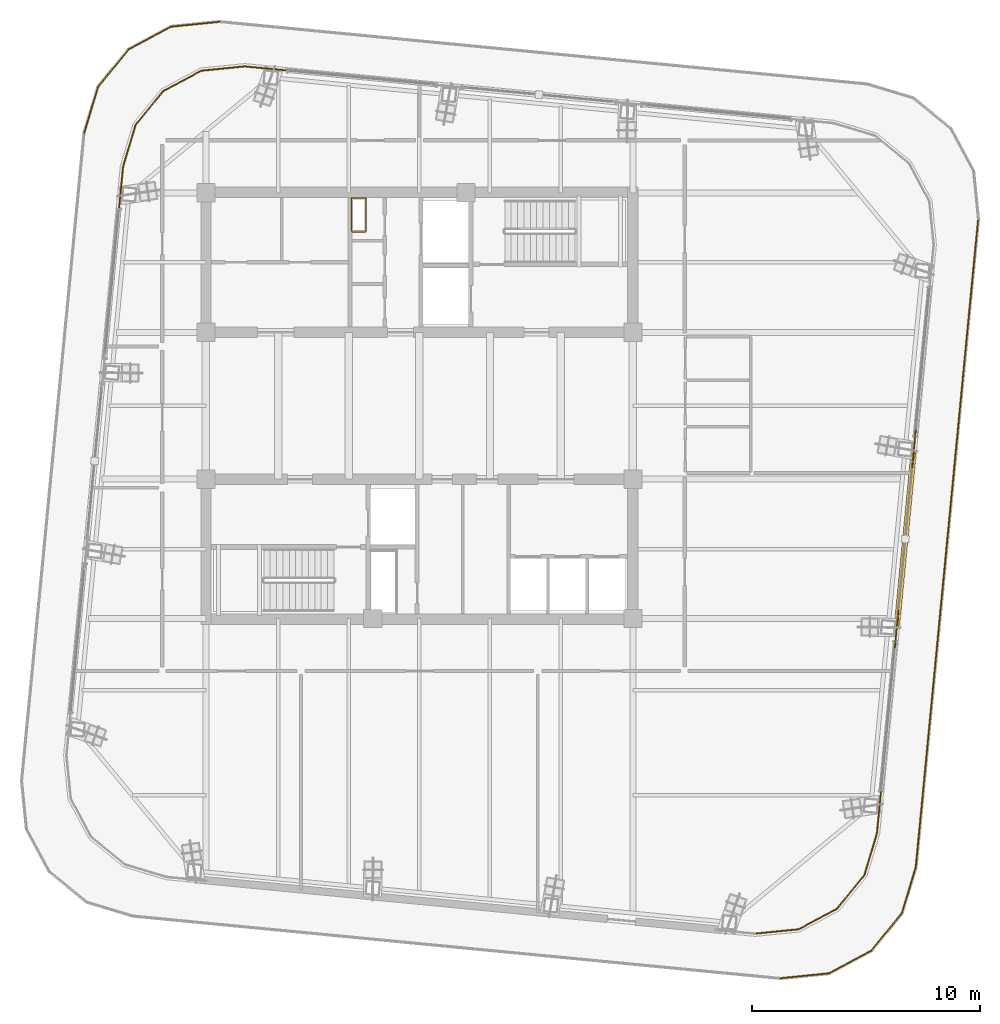
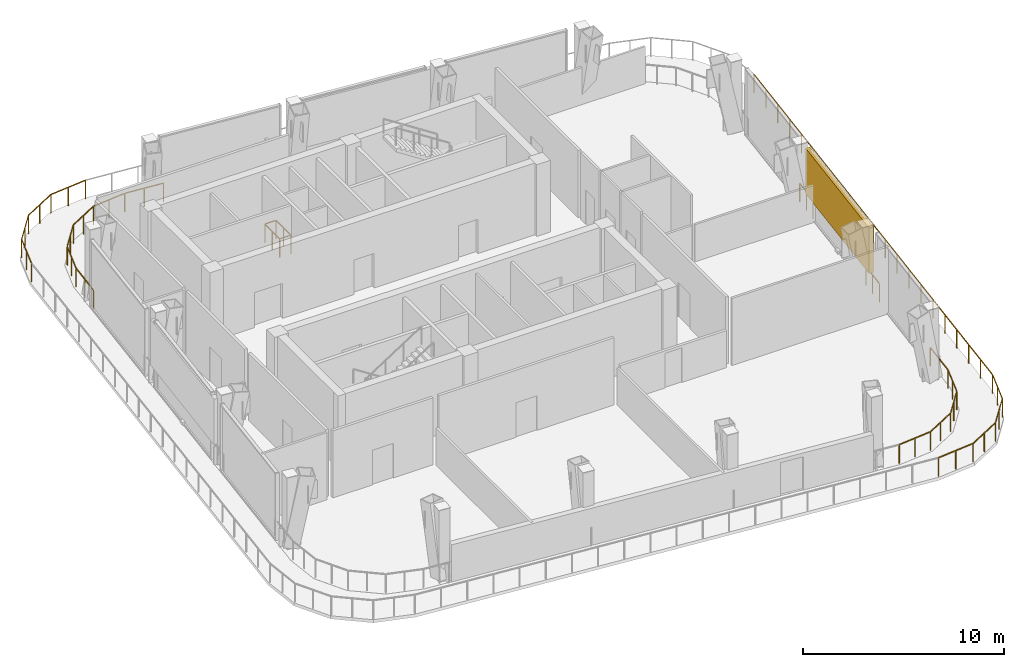
# One storey, part 17 of 19: 14 railings, 1 shading device.
"""IFC4 building model written with IfcOpenShell, lengths in metres."""

from ifc_helpers import new_model, si_unit, direction, frame, origin, origin_2d, place, context, subcontext, project, spatial, rectangle, extrude, material, type_object, element, save


model = new_model("IFC4")

# Units and contexts
model_context = context("Model", 3, precision=1e-05, world=origin(), true_north=direction((0.0, 1.0)))
body_context = subcontext(model_context, "Body", "Model", "MODEL_VIEW")
ifc_project = project(units=[si_unit("LENGTHUNIT", "METRE"), si_unit("AREAUNIT", "SQUARE_METRE"), si_unit("VOLUMEUNIT", "CUBIC_METRE"), si_unit("PLANEANGLEUNIT", "RADIAN"), si_unit("MASSUNIT", "GRAM", prefix="KILO")], contexts=[model_context])

# Site, building, storey
site_placement = place(None, origin())
site = spatial("IfcSite", under=ifc_project, at=site_placement, CompositionType="ELEMENT")
building_placement = place(site_placement, origin())
building = spatial("IfcBuilding", under=site, at=building_placement, Name="Qhalaya Broadcast Tower", CompositionType="ELEMENT")
storey_placement = place(building_placement, frame((0.0, 0.0, 280.550048828125)))
storey = spatial("IfcBuildingStorey", under=building, at=storey_placement, Name="L83", CompositionType="ELEMENT", Elevation=280.550048828125)

# Railings
ifc_material_1 = material(Name="Powder-Coated Galvanised Steel", Category="steel")
railing_type_1 = type_object("IfcRailingType", Name="Stair Well & Landing Guardrail 1100", PredefinedType="GUARDRAIL", material=ifc_material_1)
railing_1_placement = place(storey_placement, frame((-2.340087890625, 8.239990234375, 0.0)))
element("IfcRailing", 1, at=railing_1_placement, inside=storey, type_object=railing_type_1, Name="L83 Service Riser Opening Safety Guard NRSR", PredefinedType="GUARDRAIL", context=body_context, shape_type="SweptSolid", body=[
    extrude(rectangle(XDim=0.048095703125, YDim=0.048095703125, at=origin_2d()), frame((0.0, 0.02880859375, 1.1259765625), z_axis=(0.0, 1.0, 0.0), x_axis=(-1.0, 0.0, 0.0)), (0.0, 0.0, 1.0), 1.42236328125),
    extrude(rectangle(XDim=0.048095703125, YDim=0.048095703125, at=origin_2d()), frame((-0.02880859375, 1.47998046875, 1.1259765625), z_axis=(-1.0, 0.0, 0.0), x_axis=(0.0, -1.0, 0.0)), (0.0, 0.0, 1.0), 0.582275390625),
    extrude(rectangle(XDim=0.048095703125, YDim=0.048095703125, at=origin_2d()), frame((-0.639892578125, 1.451171875, 1.1259765625), z_axis=(0.0, -1.0, 0.0), x_axis=(1.0, 0.0, 0.0)), (0.0, 0.0, 1.0), 1.42236328125),
    extrude(rectangle(XDim=0.048095703125, YDim=0.048095703125, at=origin_2d()), frame((-0.611083984375, 0.0, 1.1259765625), z_axis=(1.0, 0.0, 0.0), x_axis=(0.0, 1.0, 0.0)), (0.0, 0.0, 1.0), 0.582275390625),
    extrude(rectangle(XDim=0.0419921875, YDim=0.0419921875, at=origin_2d()), origin(), (0.0, 0.0, 1.0), 1.099853515625),
    extrude(rectangle(XDim=0.0419921875, YDim=0.0419921875, at=origin_2d()), frame((0.0, 0.739990234375, 0.0)), (0.0, 0.0, 1.0), 1.099853515625),
    extrude(rectangle(XDim=0.0419921875, YDim=0.0419921875, at=origin_2d()), frame((0.0, 1.47998046875, 0.0)), (0.0, 0.0, 1.0), 1.099853515625),
    extrude(rectangle(XDim=0.0419921875, YDim=0.0419921875, at=origin_2d()), frame((-0.639892578125, 1.47998046875, 0.0)), (0.0, 0.0, 1.0), 1.099853515625),
    extrude(rectangle(XDim=0.0419921875, YDim=0.0419921875, at=origin_2d()), frame((-0.639892578125, 0.739990234375, 0.0)), (0.0, 0.0, 1.0), 1.099853515625),
    extrude(rectangle(XDim=0.0419921875, YDim=0.0419921875, at=origin_2d()), frame((-0.639892578125, 0.0, 0.0)), (0.0, 0.0, 1.0), 1.099853515625),
])
railing_type_2 = type_object("IfcRailingType", Name="Terrace, Sky-Pool & Lookout Glass Balustrade 1150", PredefinedType="BALUSTRADE", material=ifc_material_1)
railing_2_placement = place(storey_placement, frame((-14.719482421875, 12.576416015625, 0.0)))
element("IfcRailing", 2, at=railing_2_placement, inside=storey, type_object=railing_type_2, Name="L83 Perimeter Safety Balustrade BAL-TER1-07", PredefinedType="BALUSTRADE", context=body_context, shape_type="SweptSolid", body=[
    extrude(rectangle(XDim=0.048095703125, YDim=0.048095703125, at=origin_2d()), frame((0.0, 0.0, 1.1259765625), z_axis=(0.288170989429, 0.957578968467, 0.0), x_axis=(-0.957578968467, 0.288170989429, 0.0)), (0.0, 0.0, 1.0), 2.122314453125),
    extrude(rectangle(XDim=0.0419921875, YDim=0.0419921875, at=origin_2d()), origin(), (0.0, 0.0, 1.0), 1.099853515625),
    extrude(rectangle(XDim=0.0419921875, YDim=0.0419921875, at=origin_2d()), frame((0.3056640625, 1.01611328125, 0.0)), (0.0, 0.0, 1.0), 1.099853515625),
    extrude(rectangle(XDim=0.0419921875, YDim=0.0419921875, at=origin_2d()), frame((0.611572265625, 2.0322265625, 0.0)), (0.0, 0.0, 1.0), 1.099853515625),
])
railing_3_placement = place(storey_placement, frame((-14.10791015625, 14.608642578125, 0.0)))
element("IfcRailing", 3, at=railing_3_placement, inside=storey, type_object=railing_type_2, Name="L83 Perimeter Safety Balustrade BAL-TER1-08", PredefinedType="BALUSTRADE", context=body_context, shape_type="SweptSolid", body=[
    extrude(rectangle(XDim=0.048095703125, YDim=0.048095703125, at=origin_2d()), frame((0.0, 0.0, 1.1259765625), z_axis=(0.63277236839, 0.774337865406, 0.0), x_axis=(-0.774337865406, 0.63277236839, 0.0)), (0.0, 0.0, 1.0), 2.1142578125),
    extrude(rectangle(XDim=0.0419921875, YDim=0.0419921875, at=origin_2d()), origin(), (0.0, 0.0, 1.0), 1.099853515625),
    extrude(rectangle(XDim=0.0419921875, YDim=0.0419921875, at=origin_2d()), frame((0.6689453125, 0.818603515625, 0.0)), (0.0, 0.0, 1.0), 1.099853515625),
    extrude(rectangle(XDim=0.0419921875, YDim=0.0419921875, at=origin_2d()), frame((1.337890625, 1.63720703125, 0.0)), (0.0, 0.0, 1.0), 1.099853515625),
])
railing_4_placement = place(storey_placement, frame((-12.77001953125, 16.245849609375, 0.0)))
element("IfcRailing", 4, at=railing_4_placement, inside=storey, type_object=railing_type_2, Name="L83 Perimeter Safety Balustrade BAL-TER1-09", PredefinedType="BALUSTRADE", context=body_context, shape_type="SweptSolid", body=[
    extrude(rectangle(XDim=0.048095703125, YDim=0.048095703125, at=origin_2d()), frame((0.0, 0.0, 1.1259765625), z_axis=(0.880923105404, 0.473259423957, 0.0), x_axis=(-0.473259423957, 0.880923105404, 0.0)), (0.0, 0.0, 1.0), 2.114013671875),
    extrude(rectangle(XDim=0.0419921875, YDim=0.0419921875, at=origin_2d()), origin(), (0.0, 0.0, 1.0), 1.099853515625),
    extrude(rectangle(XDim=0.0419921875, YDim=0.0419921875, at=origin_2d()), frame((0.93115234375, 0.500244140625, 0.0)), (0.0, 0.0, 1.0), 1.099853515625),
    extrude(rectangle(XDim=0.0419921875, YDim=0.0419921875, at=origin_2d()), frame((1.8623046875, 1.00048828125, 0.0)), (0.0, 0.0, 1.0), 1.099853515625),
])
railing_5_placement = place(storey_placement, frame((-10.90771484375, 17.246337890625, 0.0)))
element("IfcRailing", 5, at=railing_5_placement, inside=storey, type_object=railing_type_2, Name="L83 Perimeter Safety Balustrade BAL-TER1-10", PredefinedType="BALUSTRADE", context=body_context, shape_type="SweptSolid", body=[
    extrude(rectangle(XDim=0.048095703125, YDim=0.048095703125, at=origin_2d()), frame((0.0, 0.0, 1.1259765625), z_axis=(0.99496746898, 0.100198481383, 0.0), x_axis=(-0.100198481383, 0.99496746898, 0.0)), (0.0, 0.0, 1.0), 2.122314453125),
    extrude(rectangle(XDim=0.0419921875, YDim=0.0419921875, at=origin_2d()), origin(), (0.0, 0.0, 1.0), 1.099853515625),
    extrude(rectangle(XDim=0.0419921875, YDim=0.0419921875, at=origin_2d()), frame((1.0556640625, 0.1064453125, 0.0)), (0.0, 0.0, 1.0), 1.099853515625),
    extrude(rectangle(XDim=0.0419921875, YDim=0.0419921875, at=origin_2d()), frame((2.111572265625, 0.212646484375, 0.0)), (0.0, 0.0, 1.0), 1.099853515625),
])
railing_6_placement = place(storey_placement, frame((24.5390625, 8.796142578125, 0.0)))
element("IfcRailing", 6, at=railing_6_placement, inside=storey, type_object=railing_type_2, Name="L83 Perimeter Safety Balustrade BAL-TER1-16", PredefinedType="BALUSTRADE", context=body_context, shape_type="SweptSolid", body=[
    extrude(rectangle(XDim=0.048095703125, YDim=0.048095703125, at=origin_2d()), frame((0.0, 0.0, 1.1259765625), z_axis=(-0.095848136823, -0.995395968782, 0.0), x_axis=(0.995395968782, -0.095848136823, 0.0)), (0.0, 0.0, 1.0), 28.584228515625),
    extrude(rectangle(XDim=0.0419921875, YDim=0.0419921875, at=origin_2d()), origin(), (0.0, 0.0, 1.0), 1.099853515625),
    extrude(rectangle(XDim=0.0419921875, YDim=0.0419921875, at=origin_2d()), frame((-0.136962890625, -1.422607421875, 0.0)), (0.0, 0.0, 1.0), 1.099853515625),
    extrude(rectangle(XDim=0.0419921875, YDim=0.0419921875, at=origin_2d()), frame((-0.27392578125, -2.84521484375, 0.0)), (0.0, 0.0, 1.0), 1.099853515625),
    extrude(rectangle(XDim=0.0419921875, YDim=0.0419921875, at=origin_2d()), frame((-0.410888671875, -4.267822265625, 0.0)), (0.0, 0.0, 1.0), 1.099853515625),
    extrude(rectangle(XDim=0.0419921875, YDim=0.0419921875, at=origin_2d()), frame((-0.5478515625, -5.6904296875, 0.0)), (0.0, 0.0, 1.0), 1.099853515625),
    extrude(rectangle(XDim=0.0419921875, YDim=0.0419921875, at=origin_2d()), frame((-0.68505859375, -7.11328125, 0.0)), (0.0, 0.0, 1.0), 1.099853515625),
    extrude(rectangle(XDim=0.0419921875, YDim=0.0419921875, at=origin_2d()), frame((-0.822021484375, -8.535888671875, 0.0)), (0.0, 0.0, 1.0), 1.099853515625),
    extrude(rectangle(XDim=0.0419921875, YDim=0.0419921875, at=origin_2d()), frame((-0.958984375, -9.95849609375, 0.0)), (0.0, 0.0, 1.0), 1.099853515625),
    extrude(rectangle(XDim=0.0419921875, YDim=0.0419921875, at=origin_2d()), frame((-1.095947265625, -11.381103515625, 0.0)), (0.0, 0.0, 1.0), 1.099853515625),
    extrude(rectangle(XDim=0.0419921875, YDim=0.0419921875, at=origin_2d()), frame((-1.23291015625, -12.8037109375, 0.0)), (0.0, 0.0, 1.0), 1.099853515625),
    extrude(rectangle(XDim=0.0419921875, YDim=0.0419921875, at=origin_2d()), frame((-1.369873046875, -14.226318359375, 0.0)), (0.0, 0.0, 1.0), 1.099853515625),
    extrude(rectangle(XDim=0.0419921875, YDim=0.0419921875, at=origin_2d()), frame((-1.5068359375, -15.64892578125, 0.0)), (0.0, 0.0, 1.0), 1.099853515625),
    extrude(rectangle(XDim=0.0419921875, YDim=0.0419921875, at=origin_2d()), frame((-1.643798828125, -17.071533203125, 0.0)), (0.0, 0.0, 1.0), 1.099853515625),
    extrude(rectangle(XDim=0.0419921875, YDim=0.0419921875, at=origin_2d()), frame((-1.78076171875, -18.494140625, 0.0)), (0.0, 0.0, 1.0), 1.099853515625),
    extrude(rectangle(XDim=0.0419921875, YDim=0.0419921875, at=origin_2d()), frame((-1.917724609375, -19.916748046875, 0.0)), (0.0, 0.0, 1.0), 1.099853515625),
    extrude(rectangle(XDim=0.0419921875, YDim=0.0419921875, at=origin_2d()), frame((-2.0546875, -21.33935546875, 0.0)), (0.0, 0.0, 1.0), 1.099853515625),
    extrude(rectangle(XDim=0.0419921875, YDim=0.0419921875, at=origin_2d()), frame((-2.19189453125, -22.76220703125, 0.0)), (0.0, 0.0, 1.0), 1.099853515625),
    extrude(rectangle(XDim=0.0419921875, YDim=0.0419921875, at=origin_2d()), frame((-2.328857421875, -24.184814453125, 0.0)), (0.0, 0.0, 1.0), 1.099853515625),
    extrude(rectangle(XDim=0.0419921875, YDim=0.0419921875, at=origin_2d()), frame((-2.4658203125, -25.607421875, 0.0)), (0.0, 0.0, 1.0), 1.099853515625),
    extrude(rectangle(XDim=0.0419921875, YDim=0.0419921875, at=origin_2d()), frame((-2.602783203125, -27.030029296875, 0.0)), (0.0, 0.0, 1.0), 1.099853515625),
    extrude(rectangle(XDim=0.0419921875, YDim=0.0419921875, at=origin_2d()), frame((-2.73974609375, -28.45263671875, 0.0)), (0.0, 0.0, 1.0), 1.099853515625),
])
railing_7_placement = place(storey_placement, frame((21.79931640625, -19.656494140625, 0.0)))
element("IfcRailing", 7, at=railing_7_placement, inside=storey, type_object=railing_type_2, Name="L83 Perimeter Safety Balustrade BAL-TER1-17", PredefinedType="BALUSTRADE", context=body_context, shape_type="SweptSolid", body=[
    extrude(rectangle(XDim=0.048095703125, YDim=0.048095703125, at=origin_2d()), frame((0.0, 0.0, 1.1259765625), z_axis=(-0.288170989429, -0.957578968467, 0.0), x_axis=(0.957578968467, -0.288170989429, 0.0)), (0.0, 0.0, 1.0), 2.122314453125),
    extrude(rectangle(XDim=0.0419921875, YDim=0.0419921875, at=origin_2d()), origin(), (0.0, 0.0, 1.0), 1.099853515625),
    extrude(rectangle(XDim=0.0419921875, YDim=0.0419921875, at=origin_2d()), frame((-0.3056640625, -1.01611328125, 0.0)), (0.0, 0.0, 1.0), 1.099853515625),
    extrude(rectangle(XDim=0.0419921875, YDim=0.0419921875, at=origin_2d()), frame((-0.611572265625, -2.0322265625, 0.0)), (0.0, 0.0, 1.0), 1.099853515625),
])
railing_8_placement = place(storey_placement, frame((21.187744140625, -21.688720703125, 0.0)))
element("IfcRailing", 8, at=railing_8_placement, inside=storey, type_object=railing_type_2, Name="L83 Perimeter Safety Balustrade BAL-TER1-18", PredefinedType="BALUSTRADE", context=body_context, shape_type="SweptSolid", body=[
    extrude(rectangle(XDim=0.048095703125, YDim=0.048095703125, at=origin_2d()), frame((0.0, 0.0, 1.1259765625), z_axis=(-0.632759708547, -0.774348210587, 0.0), x_axis=(0.774348210587, -0.632759708547, 0.0)), (0.0, 0.0, 1.0), 2.114013671875),
    extrude(rectangle(XDim=0.0419921875, YDim=0.0419921875, at=origin_2d()), origin(), (0.0, 0.0, 1.0), 1.099853515625),
    extrude(rectangle(XDim=0.0419921875, YDim=0.0419921875, at=origin_2d()), frame((-0.6689453125, -0.818359375, 0.0)), (0.0, 0.0, 1.0), 1.099853515625),
    extrude(rectangle(XDim=0.0419921875, YDim=0.0419921875, at=origin_2d()), frame((-1.337646484375, -1.636962890625, 0.0)), (0.0, 0.0, 1.0), 1.099853515625),
])
railing_9_placement = place(storey_placement, frame((19.85009765625, -23.32568359375, 0.0)))
element("IfcRailing", 9, at=railing_9_placement, inside=storey, type_object=railing_type_2, Name="L83 Perimeter Safety Balustrade BAL-TER1-19", PredefinedType="BALUSTRADE", context=body_context, shape_type="SweptSolid", body=[
    extrude(rectangle(XDim=0.048095703125, YDim=0.048095703125, at=origin_2d()), frame((0.0, 0.0, 1.1259765625), z_axis=(-0.880874956993, -0.473349036276, 0.0), x_axis=(0.473349036276, -0.880874956993, 0.0)), (0.0, 0.0, 1.0), 2.1142578125),
    extrude(rectangle(XDim=0.0419921875, YDim=0.0419921875, at=origin_2d()), origin(), (0.0, 0.0, 1.0), 1.099853515625),
    extrude(rectangle(XDim=0.0419921875, YDim=0.0419921875, at=origin_2d()), frame((-0.93115234375, -0.50048828125, 0.0)), (0.0, 0.0, 1.0), 1.099853515625),
    extrude(rectangle(XDim=0.0419921875, YDim=0.0419921875, at=origin_2d()), frame((-1.8623046875, -1.000732421875, 0.0)), (0.0, 0.0, 1.0), 1.099853515625),
])
railing_10_placement = place(storey_placement, frame((17.98779296875, -24.326416015625, 0.0)))
element("IfcRailing", 10, at=railing_10_placement, inside=storey, type_object=railing_type_2, Name="L83 Perimeter Safety Balustrade BAL-TER1-20", PredefinedType="BALUSTRADE", context=body_context, shape_type="SweptSolid", body=[
    extrude(rectangle(XDim=0.048095703125, YDim=0.048095703125, at=origin_2d()), frame((0.0, 0.0, 1.1259765625), z_axis=(-0.99496746898, -0.100198481383, 0.0), x_axis=(0.100198481383, -0.99496746898, 0.0)), (0.0, 0.0, 1.0), 2.122314453125),
    extrude(rectangle(XDim=0.0419921875, YDim=0.0419921875, at=origin_2d()), origin(), (0.0, 0.0, 1.0), 1.099853515625),
    extrude(rectangle(XDim=0.0419921875, YDim=0.0419921875, at=origin_2d()), frame((-1.0556640625, -0.1064453125, 0.0)), (0.0, 0.0, 1.0), 1.099853515625),
    extrude(rectangle(XDim=0.0419921875, YDim=0.0419921875, at=origin_2d()), frame((-2.111572265625, -0.212646484375, 0.0)), (0.0, 0.0, 1.0), 1.099853515625),
])
railing_11_placement = place(storey_placement, frame((-13.2158203125, 8.99365234375, 0.0)))
element("IfcRailing", 11, at=railing_11_placement, inside=storey, type_object=railing_type_2, Name="L83 Rounded Corner Perimeter Guard 05", PredefinedType="BALUSTRADE", context=body_context, shape_type="SweptSolid", body=[
    extrude(rectangle(XDim=0.048095703125, YDim=0.048095703125, at=origin_2d()), frame((0.0, 0.0, 1.1259765625), z_axis=(0.095896889673, 0.995391273094, 0.0), x_axis=(-0.995391273094, 0.095896889673, 0.0)), (0.0, 0.0, 1.0), 2.08935546875),
    extrude(rectangle(XDim=0.048095703125, YDim=0.048095703125, at=origin_2d()), frame((0.21142578125, 2.135986328125, 1.1259765625), z_axis=(0.288096282124, 0.957601447485, 0.0), x_axis=(-0.957601447485, 0.288096282124, 0.0)), (0.0, 0.0, 1.0), 1.857421875),
    extrude(rectangle(XDim=0.048095703125, YDim=0.048095703125, at=origin_2d()), frame((0.773193359375, 3.96484375, 1.1259765625), z_axis=(0.63274871945, 0.774357190213, 0.0), x_axis=(-0.774357190213, 0.63274871945, 0.0)), (0.0, 0.0, 1.0), 1.845703125),
    extrude(rectangle(XDim=0.048095703125, YDim=0.048095703125, at=origin_2d()), frame((1.984619140625, 5.429931640625, 1.1259765625), z_axis=(0.880878554058, 0.473342342286, 0.0), x_axis=(-0.473342342286, 0.880878554058, 0.0)), (0.0, 0.0, 1.0), 1.845458984375),
    extrude(rectangle(XDim=0.048095703125, YDim=0.048095703125, at=origin_2d()), frame((3.66455078125, 6.320068359375, 1.1259765625), z_axis=(0.994980230152, 0.100071682341, 0.0), x_axis=(-0.100071682341, 0.994980230152, 0.0)), (0.0, 0.0, 1.0), 1.857421875),
    extrude(rectangle(XDim=0.048095703125, YDim=0.048095703125, at=origin_2d()), frame((5.570068359375, 6.506103515625, 1.1259765625), z_axis=(0.995402268864, -0.095782687057, 0.0), x_axis=(0.095782687057, 0.995402268864, 0.0)), (0.0, 0.0, 1.0), 2.08935546875),
    extrude(rectangle(XDim=0.0419921875, YDim=0.0419921875, at=origin_2d()), origin(), (0.0, 0.0, 1.0), 1.099853515625),
    extrude(rectangle(XDim=0.0419921875, YDim=0.0419921875, at=origin_2d()), frame((0.1015625, 1.05419921875, 0.0)), (0.0, 0.0, 1.0), 1.099853515625),
    extrude(rectangle(XDim=0.0419921875, YDim=0.0419921875, at=origin_2d()), frame((0.203125, 2.1083984375, 0.0)), (0.0, 0.0, 1.0), 1.099853515625),
    extrude(rectangle(XDim=0.0419921875, YDim=0.0419921875, at=origin_2d()), frame((0.47900390625, 3.025390625, 0.0)), (0.0, 0.0, 1.0), 1.099853515625),
    extrude(rectangle(XDim=0.0419921875, YDim=0.0419921875, at=origin_2d()), frame((0.7548828125, 3.9423828125, 0.0)), (0.0, 0.0, 1.0), 1.099853515625),
    extrude(rectangle(XDim=0.0419921875, YDim=0.0419921875, at=origin_2d()), frame((1.35693359375, 4.67919921875, 0.0)), (0.0, 0.0, 1.0), 1.099853515625),
    extrude(rectangle(XDim=0.0419921875, YDim=0.0419921875, at=origin_2d()), frame((1.959228515625, 5.416259765625, 0.0)), (0.0, 0.0, 1.0), 1.099853515625),
    extrude(rectangle(XDim=0.0419921875, YDim=0.0419921875, at=origin_2d()), frame((2.79736328125, 5.86669921875, 0.0)), (0.0, 0.0, 1.0), 1.099853515625),
    extrude(rectangle(XDim=0.0419921875, YDim=0.0419921875, at=origin_2d()), frame((3.6357421875, 6.317138671875, 0.0)), (0.0, 0.0, 1.0), 1.099853515625),
    extrude(rectangle(XDim=0.0419921875, YDim=0.0419921875, at=origin_2d()), frame((4.58837890625, 6.4130859375, 0.0)), (0.0, 0.0, 1.0), 1.099853515625),
    extrude(rectangle(XDim=0.0419921875, YDim=0.0419921875, at=origin_2d()), frame((5.541259765625, 6.5087890625, 0.0)), (0.0, 0.0, 1.0), 1.099853515625),
    extrude(rectangle(XDim=0.0419921875, YDim=0.0419921875, at=origin_2d()), frame((6.595458984375, 6.4072265625, 0.0)), (0.0, 0.0, 1.0), 1.099853515625),
    extrude(rectangle(XDim=0.0419921875, YDim=0.0419921875, at=origin_2d()), frame((7.649658203125, 6.305908203125, 0.0)), (0.0, 0.0, 1.0), 1.099853515625),
])
railing_12_placement = place(storey_placement, frame((21.794677734375, -0.5078125, 0.0)))
element("IfcRailing", 12, at=railing_12_placement, inside=storey, type_object=railing_type_2, Name="L83 Rounded Corner Perimeter Guard 09", PredefinedType="BALUSTRADE", context=body_context, shape_type="SweptSolid", body=[
    extrude(rectangle(XDim=0.048095703125, YDim=0.048095703125, at=origin_2d()), frame((0.0, 0.0, 1.1259765625), z_axis=(-0.095935473846, -0.995387555105, 0.0), x_axis=(0.995387555105, -0.095935473846, 0.0)), (0.0, 0.0, 1.0), 1.605712890625),
    extrude(rectangle(XDim=0.0419921875, YDim=0.0419921875, at=origin_2d()), origin(), (0.0, 0.0, 1.0), 1.099853515625),
    extrude(rectangle(XDim=0.0419921875, YDim=0.0419921875, at=origin_2d()), frame((-0.0771484375, -0.79931640625, 0.0)), (0.0, 0.0, 1.0), 1.099853515625),
    extrude(rectangle(XDim=0.0419921875, YDim=0.0419921875, at=origin_2d()), frame((-0.154052734375, -1.598388671875, 0.0)), (0.0, 0.0, 1.0), 1.099853515625),
])
railing_13_placement = place(storey_placement, frame((21.03466796875, -8.401123046875, 0.0)))
element("IfcRailing", 13, at=railing_13_placement, inside=storey, type_object=railing_type_2, Name="L83 Rounded Corner Perimeter Guard 10", PredefinedType="BALUSTRADE", context=body_context, shape_type="SweptSolid", body=[
    extrude(rectangle(XDim=0.048095703125, YDim=0.048095703125, at=origin_2d()), frame((0.0, 0.0, 1.1259765625), z_axis=(-0.095920957548, -0.995388954079, 0.0), x_axis=(0.995388954079, -0.095920957548, 0.0)), (0.0, 0.0, 1.0), 1.60595703125),
    extrude(rectangle(XDim=0.0419921875, YDim=0.0419921875, at=origin_2d()), origin(), (0.0, 0.0, 1.0), 1.099853515625),
    extrude(rectangle(XDim=0.0419921875, YDim=0.0419921875, at=origin_2d()), frame((-0.0771484375, -0.79931640625, 0.0)), (0.0, 0.0, 1.0), 1.099853515625),
    extrude(rectangle(XDim=0.0419921875, YDim=0.0419921875, at=origin_2d()), frame((-0.154052734375, -1.5986328125, 0.0)), (0.0, 0.0, 1.0), 1.099853515625),
])
railing_14_placement = place(storey_placement, frame((20.2958984375, -16.07373046875, 0.0)))
element("IfcRailing", 14, at=railing_14_placement, inside=storey, type_object=railing_type_2, Name="L83 Rounded Corner Perimeter Guard 11", PredefinedType="BALUSTRADE", context=body_context, shape_type="SweptSolid", body=[
    extrude(rectangle(XDim=0.048095703125, YDim=0.048095703125, at=origin_2d()), frame((0.0, 0.0, 1.1259765625), z_axis=(-0.095896889673, -0.995391273094, 0.0), x_axis=(0.995391273094, -0.095896889673, 0.0)), (0.0, 0.0, 1.0), 2.08935546875),
    extrude(rectangle(XDim=0.048095703125, YDim=0.048095703125, at=origin_2d()), frame((-0.21142578125, -2.135986328125, 1.1259765625), z_axis=(-0.288096282124, -0.957601447485, 0.0), x_axis=(0.957601447485, -0.288096282124, 0.0)), (0.0, 0.0, 1.0), 1.857421875),
    extrude(rectangle(XDim=0.048095703125, YDim=0.048095703125, at=origin_2d()), frame((-0.773193359375, -3.96484375, 1.1259765625), z_axis=(-0.63274871945, -0.774357190213, 0.0), x_axis=(0.774357190213, -0.63274871945, 0.0)), (0.0, 0.0, 1.0), 1.845703125),
    extrude(rectangle(XDim=0.048095703125, YDim=0.048095703125, at=origin_2d()), frame((-1.984619140625, -5.429931640625, 1.1259765625), z_axis=(-0.880932037714, -0.473242797018, 0.0), x_axis=(0.473242797018, -0.880932037714, 0.0)), (0.0, 0.0, 1.0), 1.845458984375),
    extrude(rectangle(XDim=0.048095703125, YDim=0.048095703125, at=origin_2d()), frame((-3.66455078125, -6.31982421875, 1.1259765625), z_axis=(-0.994967529225, -0.100197883148, 0.0), x_axis=(0.100197883148, -0.994967529225, 0.0)), (0.0, 0.0, 1.0), 1.88623046875),
    extrude(rectangle(XDim=0.0419921875, YDim=0.0419921875, at=origin_2d()), origin(), (0.0, 0.0, 1.0), 1.099853515625),
    extrude(rectangle(XDim=0.0419921875, YDim=0.0419921875, at=origin_2d()), frame((-0.1015625, -1.05419921875, 0.0)), (0.0, 0.0, 1.0), 1.099853515625),
    extrude(rectangle(XDim=0.0419921875, YDim=0.0419921875, at=origin_2d()), frame((-0.203125, -2.1083984375, 0.0)), (0.0, 0.0, 1.0), 1.099853515625),
    extrude(rectangle(XDim=0.0419921875, YDim=0.0419921875, at=origin_2d()), frame((-0.47900390625, -3.025390625, 0.0)), (0.0, 0.0, 1.0), 1.099853515625),
    extrude(rectangle(XDim=0.0419921875, YDim=0.0419921875, at=origin_2d()), frame((-0.7548828125, -3.9423828125, 0.0)), (0.0, 0.0, 1.0), 1.099853515625),
    extrude(rectangle(XDim=0.0419921875, YDim=0.0419921875, at=origin_2d()), frame((-1.35693359375, -4.67919921875, 0.0)), (0.0, 0.0, 1.0), 1.099853515625),
    extrude(rectangle(XDim=0.0419921875, YDim=0.0419921875, at=origin_2d()), frame((-1.959228515625, -5.416259765625, 0.0)), (0.0, 0.0, 1.0), 1.099853515625),
    extrude(rectangle(XDim=0.0419921875, YDim=0.0419921875, at=origin_2d()), frame((-2.79736328125, -5.86669921875, 0.0)), (0.0, 0.0, 1.0), 1.099853515625),
    extrude(rectangle(XDim=0.0419921875, YDim=0.0419921875, at=origin_2d()), frame((-3.6357421875, -6.31689453125, 0.0)), (0.0, 0.0, 1.0), 1.099853515625),
    extrude(rectangle(XDim=0.0419921875, YDim=0.0419921875, at=origin_2d()), frame((-4.58837890625, -6.412841796875, 0.0)), (0.0, 0.0, 1.0), 1.099853515625),
    extrude(rectangle(XDim=0.0419921875, YDim=0.0419921875, at=origin_2d()), frame((-5.541259765625, -6.5087890625, 0.0)), (0.0, 0.0, 1.0), 1.099853515625),
])

# Shading device
ifc_material_2 = material(Name="Fired Architectural Terracotta", Category="masonry")
shading_device_type = type_object("IfcShadingDeviceType", Name="Terracotta Baguette Solar Screen Assembly TBS-01", PredefinedType="USERDEFINED", material=ifc_material_2)
shading_device_placement = place(storey_placement, frame((21.337646484375, -5.25390625, 1.139404296875), z_axis=(0.0, 0.0, 1.0), x_axis=(0.09584575252, 0.995396198367, 0.0)))
element("IfcShadingDevice", 15, at=shading_device_placement, inside=storey, type_object=shading_device_type, Name="L83 Fired Terracotta Baguette Screen E", ObjectType="BAGUETTE", PredefinedType="USERDEFINED", context=body_context, shape_type="SweptSolid", body=[
    extrude(rectangle(XDim=7.60009765625, YDim=0.239990234375, at=origin_2d()), origin(), (0.0, 0.0, 1.0), 2.76806640625),
])

save(model, "model.ifc")
